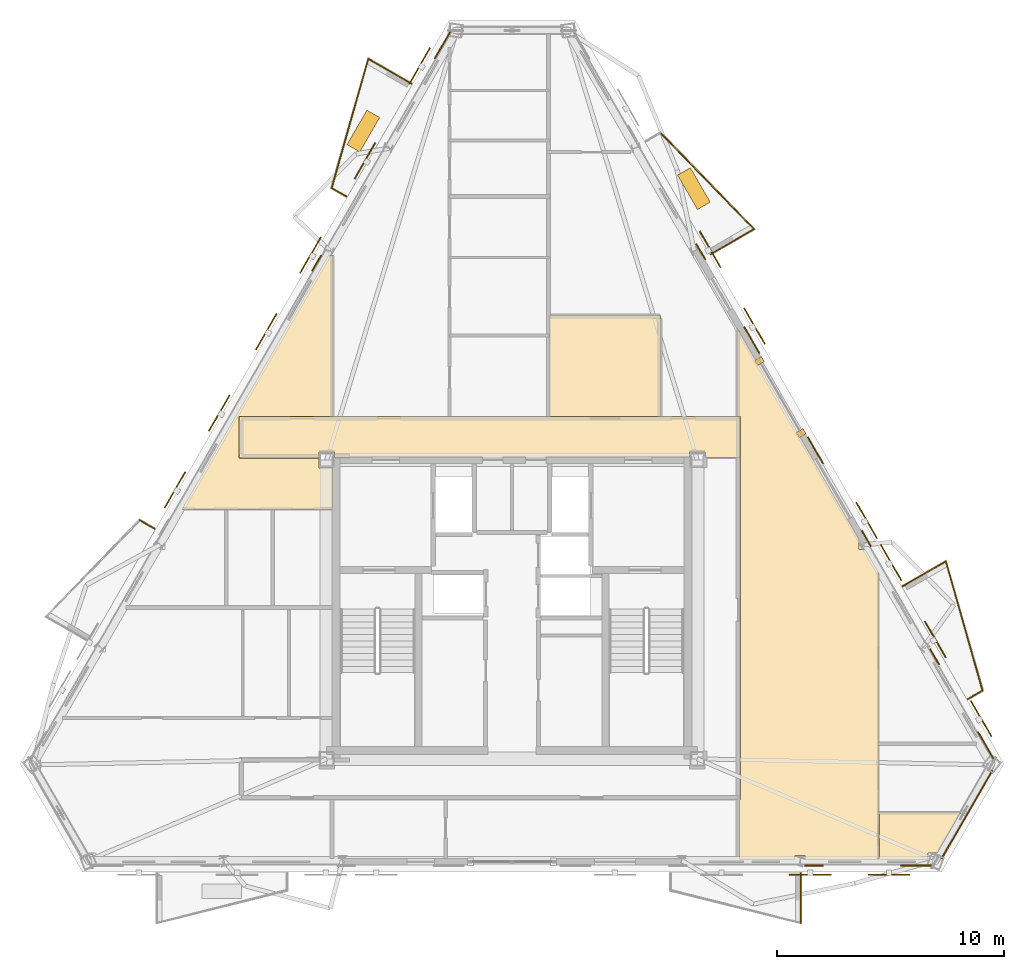
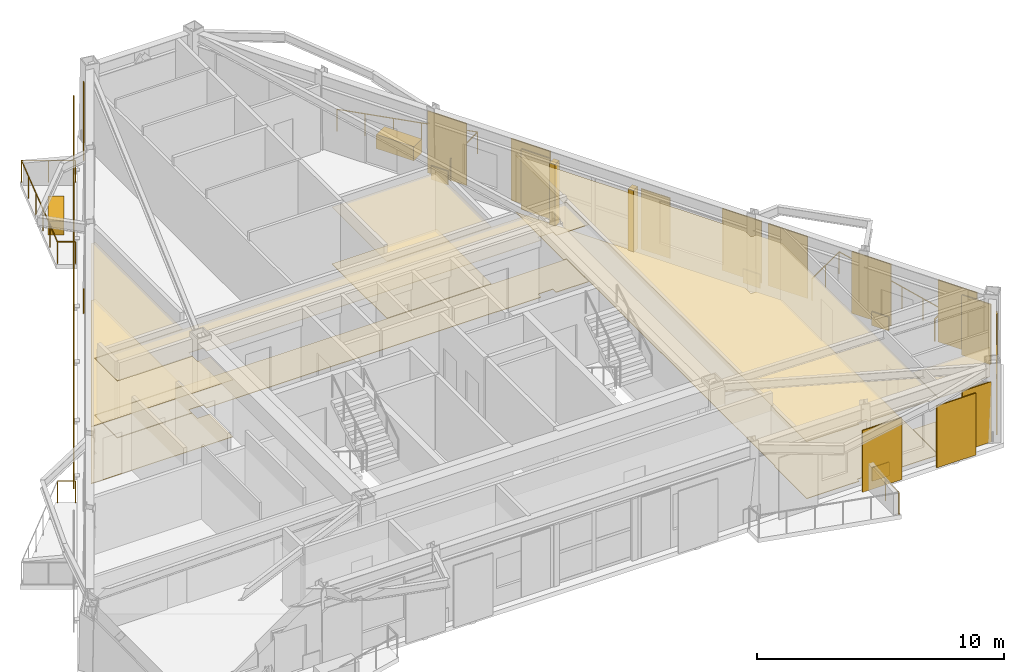
# One storey, part 14 of 15: 25 coverings, 14 shading devices, 10 railings.
"""IFC4 building model written with IfcOpenShell, lengths in metres."""

from ifc_helpers import new_model, si_unit, direction, frame, origin, origin_2d, place, context, subcontext, project, spatial, polyline, rectangle, circle, outline, extrude, material, layer, layer_set, type_object, element, save


model = new_model("IFC4")

# Units and contexts
model_context = context("Model", 3, precision=1e-05, world=origin(), true_north=direction((0.0, 1.0)))
body_context = subcontext(model_context, "Body", "Model", "MODEL_VIEW")
ifc_project = project(units=[si_unit("LENGTHUNIT", "METRE"), si_unit("AREAUNIT", "SQUARE_METRE"), si_unit("VOLUMEUNIT", "CUBIC_METRE"), si_unit("PLANEANGLEUNIT", "RADIAN"), si_unit("MASSUNIT", "GRAM", prefix="KILO")], contexts=[model_context])

# Site, building, storey
site_placement = place(None, origin())
site = spatial("IfcSite", under=ifc_project, at=site_placement, CompositionType="ELEMENT")
building_placement = place(site_placement, origin())
building = spatial("IfcBuilding", under=site, at=building_placement, Name="Oramaril Tower", CompositionType="ELEMENT")
storey_placement = place(building_placement, frame((0.0, 0.0, 265.5)))
storey = spatial("IfcBuildingStorey", under=building, at=storey_placement, Name="L70", CompositionType="ELEMENT", Elevation=265.5)

# Coverings
ifc_material_1 = material(Name="Mineral Fibre Acoustic Ceiling")
ifc_layer_1 = layer(ifc_material_1, 0.02001953125)
ifc_layer_set_1 = layer_set([ifc_layer_1], Name="CVT-CEIL")
covering_type_1 = type_object("IfcCoveringType", Name="CVT-CEIL", PredefinedType="CEILING", material=ifc_layer_set_1)
covering_1_placement = place(storey_placement, frame((0.0, 0.0, 2.81201171875)))
element("IfcCovering", 1, at=covering_1_placement, inside=storey, type_object=covering_type_1, Name="L70 Acoustic Suspended Ceiling 2", PredefinedType="CEILING", context=body_context, shape_type="SweptSolid", body=[
    extrude(outline(polyline([(47.530029296875, 24.239990234375), (45.9951171875, 24.239990234375), (45.9951171875, 24.4951171875), (45.304931640625, 24.4951171875), (45.304931640625, 24.25), (29.695068359375, 24.25), (29.695068359375, 24.4951171875), (29.0048828125, 24.4951171875), (29.0048828125, 24.239990234375), (25.52001953125, 24.239990234375), (25.52001953125, 26.050048828125), (47.530029296875, 26.050048828125), (47.530029296875, 24.239990234375)])), origin(), (0.0, 0.0, 1.0), 0.02001953125),
])
covering_2_placement = place(storey_placement, frame((0.0, 0.0, 2.81201171875)))
element("IfcCovering", 2, at=covering_2_placement, inside=storey, type_object=covering_type_1, Name="L70 Acoustic Suspended Ceiling 4", PredefinedType="CEILING", context=body_context, shape_type="SweptSolid", body=[
    extrude(outline(polyline([(44.0419921875, 30.511962890625), (44.0419921875, 26.070068359375), (39.157958984375, 26.070068359375), (39.157958984375, 30.511962890625), (44.0419921875, 30.511962890625)])), origin(), (0.0, 0.0, 1.0), 0.02001953125),
])
covering_3_placement = place(storey_placement, frame((0.0, 0.0, 2.81201171875)))
element("IfcCovering", 3, at=covering_3_placement, inside=storey, type_object=covering_type_1, Name="L70 Acoustic Suspended Ceiling 11", PredefinedType="CEILING", context=body_context, shape_type="SweptSolid", body=[
    extrude(outline(polyline([(29.0048828125, 23.804931640625), (29.60009765625, 23.804931640625), (29.60009765625, 21.9580078125), (22.96435546875, 21.9580078125), (29.41796875, 33.135986328125), (29.6220703125, 33.135986328125), (29.6220703125, 26.070068359375), (25.52001953125, 26.070068359375), (25.51806640625, 26.06982421875), (25.51611328125, 26.069580078125), (25.51416015625, 26.069091796875), (25.51220703125, 26.068603515625), (25.510498046875, 26.067626953125), (25.5087890625, 26.066650390625), (25.50732421875, 26.0654296875), (25.505859375, 26.064208984375), (25.50439453125, 26.062744140625), (25.50341796875, 26.06103515625), (25.50244140625, 26.059326171875), (25.50146484375, 26.0576171875), (25.5009765625, 26.055908203125), (25.50048828125, 26.053955078125), (25.5, 26.052001953125), (25.5, 26.050048828125), (25.5, 24.239990234375), (25.5, 24.238037109375), (25.50048828125, 24.236083984375), (25.5009765625, 24.234130859375), (25.50146484375, 24.232421875), (25.50244140625, 24.230712890625), (25.50341796875, 24.22900390625), (25.50439453125, 24.227294921875), (25.505859375, 24.225830078125), (25.50732421875, 24.224609375), (25.5087890625, 24.223388671875), (25.510498046875, 24.222412109375), (25.51220703125, 24.221435546875), (25.51416015625, 24.220947265625), (25.51611328125, 24.220458984375), (25.51806640625, 24.22021484375), (25.52001953125, 24.219970703125), (29.0048828125, 24.219970703125), (29.0048828125, 23.804931640625)])), origin(), (0.0, 0.0, 1.0), 0.02001953125),
])
covering_4_placement = place(storey_placement, frame((0.0, 0.0, 2.81201171875)))
element("IfcCovering", 4, at=covering_4_placement, inside=storey, type_object=covering_type_1, Name="L70 Acoustic Suspended Ceiling 15", PredefinedType="CEILING", context=body_context, shape_type="SweptSolid", body=[
    extrude(outline(polyline([(52.780517578125, 20.66748046875), (52.77099609375, 20.66748046875), (52.77099609375, 20.21630859375), (53.041015625, 20.21630859375), (53.6455078125, 19.169189453125), (53.6455078125, 6.582763671875), (50.38720703125, 6.582763671875), (50.38720703125, 6.7412109375), (49.9580078125, 6.7412109375), (49.9580078125, 6.582763671875), (47.511962890625, 6.582763671875), (47.511962890625, 9.199951171875), (47.530029296875, 9.199951171875), (47.531982421875, 9.2001953125), (47.533935546875, 9.200439453125), (47.535888671875, 9.200927734375), (47.53759765625, 9.201416015625), (47.539306640625, 9.202392578125), (47.541015625, 9.203369140625), (47.542724609375, 9.20458984375), (47.544189453125, 9.205810546875), (47.54541015625, 9.207275390625), (47.546630859375, 9.208984375), (47.547607421875, 9.210693359375), (47.548583984375, 9.21240234375), (47.549072265625, 9.214111328125), (47.549560546875, 9.216064453125), (47.5498046875, 9.218017578125), (47.550048828125, 9.219970703125), (47.550048828125, 11.030029296875), (47.5498046875, 11.031982421875), (47.549560546875, 11.033935546875), (47.549072265625, 11.035888671875), (47.548583984375, 11.03759765625), (47.547607421875, 11.039306640625), (47.54736328125, 11.0400390625), (47.547607421875, 11.04052734375), (47.548583984375, 11.042236328125), (47.549072265625, 11.044189453125), (47.549560546875, 11.046142578125), (47.5498046875, 11.048095703125), (47.550048828125, 11.050048828125), (47.550048828125, 24.219970703125), (47.5498046875, 24.221923828125), (47.549560546875, 24.223876953125), (47.549072265625, 24.225830078125), (47.548583984375, 24.227783203125), (47.547607421875, 24.2294921875), (47.54736328125, 24.22998046875), (47.547607421875, 24.230712890625), (47.548583984375, 24.232421875), (47.549072265625, 24.234130859375), (47.549560546875, 24.236083984375), (47.5498046875, 24.238037109375), (47.550048828125, 24.239990234375), (47.550048828125, 26.050048828125), (47.5498046875, 26.052001953125), (47.549560546875, 26.053955078125), (47.549072265625, 26.055908203125), (47.548583984375, 26.0576171875), (47.547607421875, 26.059326171875), (47.546630859375, 26.06103515625), (47.54541015625, 26.062744140625), (47.544189453125, 26.064208984375), (47.542724609375, 26.0654296875), (47.541015625, 26.066650390625), (47.539306640625, 26.067626953125), (47.53759765625, 26.068603515625), (47.535888671875, 26.069091796875), (47.533935546875, 26.069580078125), (47.531982421875, 26.06982421875), (47.530029296875, 26.070068359375), (47.407958984375, 26.070068359375), (47.407958984375, 29.973388671875), (52.780517578125, 20.66748046875)])), origin(), (0.0, 0.0, 1.0), 0.02001953125),
])
covering_5_placement = place(storey_placement, frame((0.0, 0.0, 2.81201171875)))
element("IfcCovering", 5, at=covering_5_placement, inside=storey, type_object=covering_type_1, Name="L70 Acoustic Suspended Ceiling 16", PredefinedType="CEILING", context=body_context, shape_type="SweptSolid", body=[
    extrude(outline(polyline([(56.21875, 6.854736328125), (55.80419921875, 6.854736328125), (55.80419921875, 6.582763671875), (53.66552734375, 6.582763671875), (53.66552734375, 8.65966796875), (57.260986328125, 8.65966796875), (56.21875, 6.854736328125)])), origin(), (0.0, 0.0, 1.0), 0.02001953125),
])
ifc_material_2 = material(Name="Warm Cream Limestone", Category="masonry")
ifc_layer_2 = layer(ifc_material_2, 0.050048828125)
ifc_layer_set_2 = layer_set([ifc_layer_2], Name="CVT-CLD")
covering_type_2 = type_object("IfcCoveringType", Name="CVT-CLD", PredefinedType="CLADDING", material=ifc_layer_set_2)
covering_6_placement = place(storey_placement, frame((55.274169921875, 6.306884765625, 0.0400390625), z_axis=(0.0, 0.0, 1.0), x_axis=(1.0, 0.0, 0.0)))
element("IfcCovering", 6, at=covering_6_placement, inside=storey, type_object=covering_type_2, Name="L70 Warm Cream Limestone Cladding", PredefinedType="CLADDING", context=body_context, shape_type="SweptSolid", body=[
    extrude(rectangle(XDim=1.35009765625, YDim=0.050048828125, at=origin_2d()), origin(), (0.0, 0.0, 1.0), 2.97802734375),
])
covering_7_placement = place(storey_placement, frame((50.788330078125, 6.306884765625, 0.0400390625), z_axis=(0.0, 0.0, 1.0), x_axis=(1.0, 0.0, 0.0)))
element("IfcCovering", 7, at=covering_7_placement, inside=storey, type_object=covering_type_2, Name="L70 Warm Cream Limestone Spandrel Cladding", PredefinedType="CLADDING", context=body_context, shape_type="SweptSolid", body=[
    extrude(rectangle(XDim=0.800048828125, YDim=0.050048828125, at=origin_2d()), origin(), (0.0, 0.0, 1.0), 0.679931640625),
])
covering_8_placement = place(storey_placement, frame((57.513427734375, 8.545166015625, 0.0400390625), z_axis=(0.0, 0.0, 1.0), x_axis=(0.500001511499, 0.866024531118, 0.0)))
element("IfcCovering", 8, at=covering_8_placement, inside=storey, type_object=covering_type_2, Name="L70 Warm Cream Limestone Cladding", PredefinedType="CLADDING", context=body_context, shape_type="SweptSolid", body=[
    extrude(rectangle(XDim=4.475341796875, YDim=0.050048828125, at=origin_2d()), origin(), (0.0, 0.0, 1.0), 2.97802734375),
])
for number, where, z_axis, x_axis, name in (
    (9, (50.21484375, 25.32763671875, 0.0), (0.0, 0.0, 1.0), (-0.5, 0.866025403784, 0.0), "L70 Curtain Wall Limestone Jamb Closure"),
    (10, (48.384765625, 28.497314453125, 0.0), (0.0, 0.0, 1.0), (-0.5, 0.866025403784, 0.0), "L70 Curtain Wall Limestone Jamb Closure"),
):
    element("IfcCovering", number, at=place(storey_placement, frame(where, z_axis=z_axis, x_axis=x_axis)), inside=storey, type_object=covering_type_2, Name=name, PredefinedType="CLADDING", context=body_context, shape_type="SweptSolid", body=[
        extrude(rectangle(XDim=0.260009765625, YDim=0.340087890625, at=origin_2d()), origin(), (0.0, 0.0, 1.0), 3.05810546875),
    ])
for number, where, z_axis, x_axis, name in (
    (11, (58.332275390625, 11.603759765625, 0.0400390625), (0.0, 0.0, 1.0), (-0.4999984885, 0.866026276448, 0.0), "L70 Warm Cream Limestone Cladding"),
    (12, (50.84521484375, 24.57177734375, 0.0400390625), (0.0, 0.0, 1.0), (-0.4999984885, 0.866026276448, 0.0), "L70 Warm Cream Limestone Cladding"),
):
    element("IfcCovering", number, at=place(storey_placement, frame(where, z_axis=z_axis, x_axis=x_axis)), inside=storey, type_object=covering_type_2, Name=name, PredefinedType="CLADDING", context=body_context, shape_type="SweptSolid", body=[
        extrude(rectangle(XDim=1.35009765625, YDim=0.050048828125, at=origin_2d()), origin(), (0.0, 0.0, 1.0), 2.97802734375),
    ])
for number, where, z_axis, x_axis, name in (
    (13, (56.08935546875, 15.488525390625, 0.0400390625), (0.0, 0.0, 1.0), (-0.4999984885, 0.866026276448, 0.0), "L70 Warm Cream Limestone Spandrel Cladding"),
    (14, (53.088134765625, 20.68701171875, 0.0400390625), (0.0, 0.0, 1.0), (-0.4999984885, 0.866026276448, 0.0), "L70 Warm Cream Limestone Spandrel Cladding"),
):
    element("IfcCovering", number, at=place(storey_placement, frame(where, z_axis=z_axis, x_axis=x_axis)), inside=storey, type_object=covering_type_2, Name=name, PredefinedType="CLADDING", context=body_context, shape_type="SweptSolid", body=[
        extrude(rectangle(XDim=0.800048828125, YDim=0.050048828125, at=origin_2d()), origin(), (0.0, 0.0, 1.0), 0.679931640625),
    ])
covering_9_placement = place(storey_placement, frame((48.04541015625, 29.42138671875, 0.0400390625), z_axis=(0.0, 0.0, 1.0), x_axis=(-0.4999984885, 0.866026276448, 0.0)))
element("IfcCovering", 15, at=covering_9_placement, inside=storey, type_object=covering_type_2, Name="L70 Warm Cream Limestone Cladding", PredefinedType="CLADDING", context=body_context, shape_type="SweptSolid", body=[
    extrude(rectangle(XDim=1.35009765625, YDim=0.050048828125, at=origin_2d()), origin(), (0.0, 0.0, 1.0), 2.97802734375),
])
covering_10_placement = place(storey_placement, frame((45.802490234375, 33.30615234375, 0.0400390625), z_axis=(0.0, 0.0, 1.0), x_axis=(-0.4999984885, 0.866026276448, 0.0)))
element("IfcCovering", 16, at=covering_10_placement, inside=storey, type_object=covering_type_2, Name="L70 Warm Cream Limestone Spandrel Cladding", PredefinedType="CLADDING", context=body_context, shape_type="SweptSolid", body=[
    extrude(rectangle(XDim=0.800048828125, YDim=0.050048828125, at=origin_2d()), origin(), (0.0, 0.0, 1.0), 0.679931640625),
])
covering_11_placement = place(storey_placement, frame((34.44189453125, 42.389404296875, 0.0400390625), z_axis=(0.0, 0.0, 1.0), x_axis=(-0.4999984885, -0.866026276448, 0.0)))
element("IfcCovering", 17, at=covering_11_placement, inside=storey, type_object=covering_type_2, Name="L70 Warm Cream Limestone Cladding", PredefinedType="CLADDING", context=body_context, shape_type="SweptSolid", body=[
    extrude(rectangle(XDim=1.35009765625, YDim=0.050048828125, at=origin_2d()), origin(), (0.0, 0.0, 1.0), 2.97802734375),
])
covering_12_placement = place(storey_placement, frame((28.906982421875, 32.802978515625, 0.0400390625), z_axis=(0.0, 0.0, 1.0), x_axis=(-0.4999984885, -0.866026276448, 0.0)))
element("IfcCovering", 18, at=covering_12_placement, inside=storey, type_object=covering_type_2, Name="L70 Warm Cream Limestone Spandrel Cladding", PredefinedType="CLADDING", context=body_context, shape_type="SweptSolid", body=[
    extrude(rectangle(XDim=0.800048828125, YDim=0.050048828125, at=origin_2d()), origin(), (0.0, 0.0, 1.0), 0.679931640625),
])
for number, where, z_axis, x_axis, name in (
    (19, (45.502685546875, 36.082275390625, 0.0), (0.0, 0.0, 1.0), (-0.4999984885, 0.866026276448, 0.0), "L70 Structural Tree Planter Box L70-BAL-NE2"),
    (20, (30.959716796875, 38.615478515625, 0.0), (0.0, 0.0, 1.0), (-0.4999984885, -0.866026276448, 0.0), "L70 Structural Tree Planter Box L70-BAL-NW1"),
):
    element("IfcCovering", number, at=place(storey_placement, frame(where, z_axis=z_axis, x_axis=x_axis)), inside=storey, type_object=covering_type_2, Name=name, PredefinedType="CLADDING", context=body_context, shape_type="SweptSolid", body=[
        extrude(rectangle(XDim=1.75, YDim=0.64990234375, at=origin_2d()), origin(), (0.0, 0.0, 1.0), 0.699951171875),
    ])
ifc_material_3 = material(Name="Honed Quartzite Stone Flooring", Category="masonry")
ifc_layer_3 = layer(ifc_material_3, 0.02490234375)
ifc_layer_set_3 = layer_set([ifc_layer_3], Name="CVT-FLR")
covering_type_3 = type_object("IfcCoveringType", Name="CVT-FLR", PredefinedType="FLOORING", material=ifc_layer_set_3)
covering_13_placement = place(storey_placement, origin())
element("IfcCovering", 21, at=covering_13_placement, inside=storey, type_object=covering_type_3, Name="L70 Honed Stone Floor Finish 2", PredefinedType="FLOORING", context=body_context, shape_type="SweptSolid", body=[
    extrude(outline(polyline([(47.530029296875, 24.239990234375), (45.9951171875, 24.239990234375), (45.9951171875, 24.4951171875), (45.304931640625, 24.4951171875), (45.304931640625, 24.25), (29.695068359375, 24.25), (29.695068359375, 24.4951171875), (29.0048828125, 24.4951171875), (29.0048828125, 24.239990234375), (25.52001953125, 24.239990234375), (25.52001953125, 26.050048828125), (47.530029296875, 26.050048828125), (47.530029296875, 24.239990234375)])), origin(), (0.0, 0.0, 1.0), 0.02490234375),
])
covering_14_placement = place(storey_placement, origin())
element("IfcCovering", 22, at=covering_14_placement, inside=storey, type_object=covering_type_3, Name="L70 Honed Stone Floor Finish 4", PredefinedType="FLOORING", context=body_context, shape_type="SweptSolid", body=[
    extrude(outline(polyline([(44.0419921875, 30.511962890625), (44.0419921875, 26.070068359375), (39.157958984375, 26.070068359375), (39.157958984375, 30.511962890625), (44.0419921875, 30.511962890625)])), origin(), (0.0, 0.0, 1.0), 0.02490234375),
])
covering_15_placement = place(storey_placement, origin())
element("IfcCovering", 23, at=covering_15_placement, inside=storey, type_object=covering_type_3, Name="L70 Honed Stone Floor Finish 11", PredefinedType="FLOORING", context=body_context, shape_type="SweptSolid", body=[
    extrude(outline(polyline([(29.0048828125, 23.804931640625), (29.60009765625, 23.804931640625), (29.60009765625, 21.9580078125), (22.96435546875, 21.9580078125), (29.41796875, 33.135986328125), (29.6220703125, 33.135986328125), (29.6220703125, 26.070068359375), (25.52001953125, 26.070068359375), (25.51806640625, 26.06982421875), (25.51611328125, 26.069580078125), (25.51416015625, 26.069091796875), (25.51220703125, 26.068603515625), (25.510498046875, 26.067626953125), (25.5087890625, 26.066650390625), (25.50732421875, 26.0654296875), (25.505859375, 26.064208984375), (25.50439453125, 26.062744140625), (25.50341796875, 26.06103515625), (25.50244140625, 26.059326171875), (25.50146484375, 26.0576171875), (25.5009765625, 26.055908203125), (25.50048828125, 26.053955078125), (25.5, 26.052001953125), (25.5, 26.050048828125), (25.5, 24.239990234375), (25.5, 24.238037109375), (25.50048828125, 24.236083984375), (25.5009765625, 24.234130859375), (25.50146484375, 24.232421875), (25.50244140625, 24.230712890625), (25.50341796875, 24.22900390625), (25.50439453125, 24.227294921875), (25.505859375, 24.225830078125), (25.50732421875, 24.224609375), (25.5087890625, 24.223388671875), (25.510498046875, 24.222412109375), (25.51220703125, 24.221435546875), (25.51416015625, 24.220947265625), (25.51611328125, 24.220458984375), (25.51806640625, 24.22021484375), (25.52001953125, 24.219970703125), (29.0048828125, 24.219970703125), (29.0048828125, 23.804931640625)])), origin(), (0.0, 0.0, 1.0), 0.02490234375),
])
covering_16_placement = place(storey_placement, origin())
element("IfcCovering", 24, at=covering_16_placement, inside=storey, type_object=covering_type_3, Name="L70 Honed Stone Floor Finish 15", PredefinedType="FLOORING", context=body_context, shape_type="SweptSolid", body=[
    extrude(outline(polyline([(52.780517578125, 20.66748046875), (52.77099609375, 20.66748046875), (52.77099609375, 20.21630859375), (53.041015625, 20.21630859375), (53.6455078125, 19.169189453125), (53.6455078125, 6.582763671875), (50.38720703125, 6.582763671875), (50.38720703125, 6.7412109375), (49.9580078125, 6.7412109375), (49.9580078125, 6.582763671875), (47.511962890625, 6.582763671875), (47.511962890625, 9.199951171875), (47.530029296875, 9.199951171875), (47.531982421875, 9.2001953125), (47.533935546875, 9.200439453125), (47.535888671875, 9.200927734375), (47.53759765625, 9.201416015625), (47.539306640625, 9.202392578125), (47.541015625, 9.203369140625), (47.542724609375, 9.20458984375), (47.544189453125, 9.205810546875), (47.54541015625, 9.207275390625), (47.546630859375, 9.208984375), (47.547607421875, 9.210693359375), (47.548583984375, 9.21240234375), (47.549072265625, 9.214111328125), (47.549560546875, 9.216064453125), (47.5498046875, 9.218017578125), (47.550048828125, 9.219970703125), (47.550048828125, 11.030029296875), (47.5498046875, 11.031982421875), (47.549560546875, 11.033935546875), (47.549072265625, 11.035888671875), (47.548583984375, 11.03759765625), (47.547607421875, 11.039306640625), (47.54736328125, 11.0400390625), (47.547607421875, 11.04052734375), (47.548583984375, 11.042236328125), (47.549072265625, 11.044189453125), (47.549560546875, 11.046142578125), (47.5498046875, 11.048095703125), (47.550048828125, 11.050048828125), (47.550048828125, 24.219970703125), (47.5498046875, 24.221923828125), (47.549560546875, 24.223876953125), (47.549072265625, 24.225830078125), (47.548583984375, 24.227783203125), (47.547607421875, 24.2294921875), (47.54736328125, 24.22998046875), (47.547607421875, 24.230712890625), (47.548583984375, 24.232421875), (47.549072265625, 24.234130859375), (47.549560546875, 24.236083984375), (47.5498046875, 24.238037109375), (47.550048828125, 24.239990234375), (47.550048828125, 26.050048828125), (47.5498046875, 26.052001953125), (47.549560546875, 26.053955078125), (47.549072265625, 26.055908203125), (47.548583984375, 26.0576171875), (47.547607421875, 26.059326171875), (47.546630859375, 26.06103515625), (47.54541015625, 26.062744140625), (47.544189453125, 26.064208984375), (47.542724609375, 26.0654296875), (47.541015625, 26.066650390625), (47.539306640625, 26.067626953125), (47.53759765625, 26.068603515625), (47.535888671875, 26.069091796875), (47.533935546875, 26.069580078125), (47.531982421875, 26.06982421875), (47.530029296875, 26.070068359375), (47.407958984375, 26.070068359375), (47.407958984375, 29.973388671875), (52.780517578125, 20.66748046875)])), origin(), (0.0, 0.0, 1.0), 0.02490234375),
])
covering_17_placement = place(storey_placement, origin())
element("IfcCovering", 25, at=covering_17_placement, inside=storey, type_object=covering_type_3, Name="L70 Honed Stone Floor Finish 16", PredefinedType="FLOORING", context=body_context, shape_type="SweptSolid", body=[
    extrude(outline(polyline([(56.21875, 6.854736328125), (55.80419921875, 6.854736328125), (55.80419921875, 6.582763671875), (53.66552734375, 6.582763671875), (53.66552734375, 8.65966796875), (57.260986328125, 8.65966796875), (56.21875, 6.854736328125)])), origin(), (0.0, 0.0, 1.0), 0.02490234375),
])

# Railings
ifc_material_4 = material(Name="Stainless Steel 316L", Category="steel")
railing_type = type_object("IfcRailingType", Name="RLT-GRD", PredefinedType="GUARDRAIL", material=ifc_material_4)
railing_1_placement = place(storey_placement, frame((50.20458984375, 5.966796875, 0.0)))
element("IfcRailing", 26, at=railing_1_placement, inside=storey, type_object=railing_type, Name="L70 Balcony Guardrail L70-BAL-S2.1", PredefinedType="GUARDRAIL", context=body_context, shape_type="SweptSolid", body=[
    extrude(circle(Radius=0.02392578125, at=origin_2d()), frame((0.0, 0.0, 1.076171875), z_axis=(0.0, -1.0, 0.0), x_axis=(1.0, 0.0, 0.0)), (0.0, 0.0, 1.0), 2.19189453125),
    extrude(circle(Radius=0.02099609375, at=origin_2d()), origin(), (0.0, 0.0, 1.0), 1.052001953125),
    extrude(circle(Radius=0.02099609375, at=origin_2d()), frame((0.0, -1.095947265625, 0.0)), (0.0, 0.0, 1.0), 1.052001953125),
    extrude(circle(Radius=0.02099609375, at=origin_2d()), frame((0.0, -2.19189453125, 0.0)), (0.0, 0.0, 1.0), 1.052001953125),
])
railing_2_placement = place(storey_placement, frame((54.689697265625, 18.593017578125, 0.0)))
element("IfcRailing", 27, at=railing_2_placement, inside=storey, type_object=railing_type, Name="L70 Balcony Guardrail L70-BAL-NE1.1", PredefinedType="GUARDRAIL", context=body_context, shape_type="SweptSolid", body=[
    extrude(circle(Radius=0.02392578125, at=origin_2d()), frame((0.0, 0.0, 1.076171875), z_axis=(0.865972267571, 0.50009202333, 0.0), x_axis=(-0.50009202333, 0.865972267571, 0.0)), (0.0, 0.0, 1.0), 2.19189453125),
    extrude(circle(Radius=0.02099609375, at=origin_2d()), origin(), (0.0, 0.0, 1.0), 1.052001953125),
    extrude(circle(Radius=0.02099609375, at=origin_2d()), frame((0.94921875, 0.548095703125, 0.0)), (0.0, 0.0, 1.0), 1.052001953125),
    extrude(circle(Radius=0.02099609375, at=origin_2d()), frame((1.898193359375, 1.09619140625, 0.0)), (0.0, 0.0, 1.0), 1.052001953125),
])
railing_3_placement = place(storey_placement, frame((56.587890625, 19.689208984375, 0.0)))
element("IfcRailing", 28, at=railing_3_placement, inside=storey, type_object=railing_type, Name="L70 Balcony Guardrail L70-BAL-NE1.2", PredefinedType="GUARDRAIL", context=body_context, shape_type="SweptSolid", body=[
    extrude(circle(Radius=0.02392578125, at=origin_2d()), frame((0.0, 0.0, 1.076171875), z_axis=(0.27224886544, -0.962226873074, 0.0), x_axis=(0.962226873074, 0.27224886544, 0.0)), (0.0, 0.0, 1.0), 5.910400390625),
    extrude(circle(Radius=0.02099609375, at=origin_2d()), origin(), (0.0, 0.0, 1.0), 1.052001953125),
    extrude(circle(Radius=0.02099609375, at=origin_2d()), frame((0.32177734375, -1.137451171875, 0.0)), (0.0, 0.0, 1.0), 1.052001953125),
    extrude(circle(Radius=0.02099609375, at=origin_2d()), frame((0.6435546875, -2.27490234375, 0.0)), (0.0, 0.0, 1.0), 1.052001953125),
    extrude(circle(Radius=0.02099609375, at=origin_2d()), frame((0.965576171875, -3.412353515625, 0.0)), (0.0, 0.0, 1.0), 1.052001953125),
    extrude(circle(Radius=0.02099609375, at=origin_2d()), frame((1.287353515625, -4.5498046875, 0.0)), (0.0, 0.0, 1.0), 1.052001953125),
    extrude(circle(Radius=0.02099609375, at=origin_2d()), frame((1.609130859375, -5.687255859375, 0.0)), (0.0, 0.0, 1.0), 1.052001953125),
])
railing_4_placement = place(storey_placement, frame((58.197021484375, 14.001953125, 0.0)))
element("IfcRailing", 29, at=railing_4_placement, inside=storey, type_object=railing_type, Name="L70 Balcony Guardrail L70-BAL-NE1.3", PredefinedType="GUARDRAIL", context=body_context, shape_type="SweptSolid", body=[
    extrude(circle(Radius=0.02392578125, at=origin_2d()), frame((0.0, 0.0, 1.076171875), z_axis=(-0.865884080729, -0.500244698863, 0.0), x_axis=(0.500244698863, -0.865884080729, 0.0)), (0.0, 0.0, 1.0), 0.741943359375),
    extrude(circle(Radius=0.02099609375, at=origin_2d()), origin(), (0.0, 0.0, 1.0), 1.052001953125),
    extrude(circle(Radius=0.02099609375, at=origin_2d()), frame((-0.642333984375, -0.37109375, 0.0)), (0.0, 0.0, 1.0), 1.052001953125),
])
railing_5_placement = place(storey_placement, frame((44.02978515625, 38.540283203125, 0.0)))
element("IfcRailing", 30, at=railing_5_placement, inside=storey, type_object=railing_type, Name="L70 Balcony Guardrail L70-BAL-NE2.2", PredefinedType="GUARDRAIL", context=body_context, shape_type="SweptSolid", body=[
    extrude(circle(Radius=0.02392578125, at=origin_2d()), frame((0.0, 0.0, 1.076171875), z_axis=(0.697186915353, -0.716889395277, 0.0), x_axis=(0.716889395277, 0.697186915353, 0.0)), (0.0, 0.0, 1.0), 5.91064453125),
    extrude(circle(Radius=0.02099609375, at=origin_2d()), origin(), (0.0, 0.0, 1.0), 1.052001953125),
    extrude(circle(Radius=0.02099609375, at=origin_2d()), frame((0.82421875, -0.847412109375, 0.0)), (0.0, 0.0, 1.0), 1.052001953125),
    extrude(circle(Radius=0.02099609375, at=origin_2d()), frame((1.6484375, -1.69482421875, 0.0)), (0.0, 0.0, 1.0), 1.052001953125),
    extrude(circle(Radius=0.02099609375, at=origin_2d()), frame((2.472412109375, -2.54248046875, 0.0)), (0.0, 0.0, 1.0), 1.052001953125),
    extrude(circle(Radius=0.02099609375, at=origin_2d()), frame((3.296630859375, -3.389892578125, 0.0)), (0.0, 0.0, 1.0), 1.052001953125),
    extrude(circle(Radius=0.02099609375, at=origin_2d()), frame((4.120849609375, -4.2373046875, 0.0)), (0.0, 0.0, 1.0), 1.052001953125),
])
railing_6_placement = place(storey_placement, frame((48.150634765625, 34.302978515625, 0.0)))
element("IfcRailing", 31, at=railing_6_placement, inside=storey, type_object=railing_type, Name="L70 Balcony Guardrail L70-BAL-NE2.3", PredefinedType="GUARDRAIL", context=body_context, shape_type="SweptSolid", body=[
    extrude(circle(Radius=0.02392578125, at=origin_2d()), frame((0.0, 0.0, 1.076171875), z_axis=(-0.865972267571, -0.50009202333, 0.0), x_axis=(0.50009202333, -0.865972267571, 0.0)), (0.0, 0.0, 1.0), 2.19189453125),
    extrude(circle(Radius=0.02099609375, at=origin_2d()), origin(), (0.0, 0.0, 1.0), 1.052001953125),
    extrude(circle(Radius=0.02099609375, at=origin_2d()), frame((-0.94921875, -0.548095703125, 0.0)), (0.0, 0.0, 1.0), 1.052001953125),
    extrude(circle(Radius=0.02099609375, at=origin_2d()), frame((-1.898193359375, -1.09619140625, 0.0)), (0.0, 0.0, 1.0), 1.052001953125),
])
railing_7_placement = place(storey_placement, frame((30.210205078125, 35.739990234375, 0.0)))
element("IfcRailing", 32, at=railing_7_placement, inside=storey, type_object=railing_type, Name="L70 Balcony Guardrail L70-BAL-NW1.1", PredefinedType="GUARDRAIL", context=body_context, shape_type="SweptSolid", body=[
    extrude(circle(Radius=0.02392578125, at=origin_2d()), frame((0.0, 0.0, 1.076171875), z_axis=(-0.865966403178, 0.500102178127, 0.0), x_axis=(-0.500102178127, -0.865966403178, 0.0)), (0.0, 0.0, 1.0), 0.741943359375),
    extrude(circle(Radius=0.02099609375, at=origin_2d()), origin(), (0.0, 0.0, 1.0), 1.052001953125),
    extrude(circle(Radius=0.02099609375, at=origin_2d()), frame((-0.642578125, 0.37109375, 0.0)), (0.0, 0.0, 1.0), 1.052001953125),
])
railing_8_placement = place(storey_placement, frame((29.567626953125, 36.111083984375, 0.0)))
element("IfcRailing", 33, at=railing_8_placement, inside=storey, type_object=railing_type, Name="L70 Balcony Guardrail L70-BAL-NW1.2", PredefinedType="GUARDRAIL", context=body_context, shape_type="SweptSolid", body=[
    extrude(circle(Radius=0.02392578125, at=origin_2d()), frame((0.0, 0.0, 1.076171875), z_axis=(0.27224886544, 0.962226873074, 0.0), x_axis=(-0.962226873074, 0.27224886544, 0.0)), (0.0, 0.0, 1.0), 5.910400390625),
    extrude(circle(Radius=0.02099609375, at=origin_2d()), origin(), (0.0, 0.0, 1.0), 1.052001953125),
    extrude(circle(Radius=0.02099609375, at=origin_2d()), frame((0.32177734375, 1.137451171875, 0.0)), (0.0, 0.0, 1.0), 1.052001953125),
    extrude(circle(Radius=0.02099609375, at=origin_2d()), frame((0.6435546875, 2.27490234375, 0.0)), (0.0, 0.0, 1.0), 1.052001953125),
    extrude(circle(Radius=0.02099609375, at=origin_2d()), frame((0.965576171875, 3.412353515625, 0.0)), (0.0, 0.0, 1.0), 1.052001953125),
    extrude(circle(Radius=0.02099609375, at=origin_2d()), frame((1.287353515625, 4.5498046875, 0.0)), (0.0, 0.0, 1.0), 1.052001953125),
    extrude(circle(Radius=0.02099609375, at=origin_2d()), frame((1.609130859375, 5.687255859375, 0.0)), (0.0, 0.0, 1.0), 1.052001953125),
])
railing_9_placement = place(storey_placement, frame((31.1767578125, 41.79833984375, 0.0)))
element("IfcRailing", 34, at=railing_9_placement, inside=storey, type_object=railing_type, Name="L70 Balcony Guardrail L70-BAL-NW1.3", PredefinedType="GUARDRAIL", context=body_context, shape_type="SweptSolid", body=[
    extrude(circle(Radius=0.02392578125, at=origin_2d()), frame((0.0, 0.0, 1.076171875), z_axis=(0.866048343933, -0.499960264392, 0.0), x_axis=(0.499960264392, 0.866048343933, 0.0)), (0.0, 0.0, 1.0), 2.192138671875),
    extrude(circle(Radius=0.02099609375, at=origin_2d()), origin(), (0.0, 0.0, 1.0), 1.052001953125),
    extrude(circle(Radius=0.02099609375, at=origin_2d()), frame((0.94921875, -0.5478515625, 0.0)), (0.0, 0.0, 1.0), 1.052001953125),
    extrude(circle(Radius=0.02099609375, at=origin_2d()), frame((1.8984375, -1.095947265625, 0.0)), (0.0, 0.0, 1.0), 1.052001953125),
])
railing_10_placement = place(storey_placement, frame((21.13037109375, 21.497314453125, 0.0)))
element("IfcRailing", 35, at=railing_10_placement, inside=storey, type_object=railing_type, Name="L70 Balcony Guardrail L70-BAL-NW2.3", PredefinedType="GUARDRAIL", context=body_context, shape_type="SweptSolid", body=[
    extrude(circle(Radius=0.02392578125, at=origin_2d()), frame((0.0, 0.0, 1.076171875), z_axis=(0.865966403178, -0.500102178127, 0.0), x_axis=(0.500102178127, 0.865966403178, 0.0)), (0.0, 0.0, 1.0), 0.741943359375),
    extrude(circle(Radius=0.02099609375, at=origin_2d()), origin(), (0.0, 0.0, 1.0), 1.052001953125),
    extrude(circle(Radius=0.02099609375, at=origin_2d()), frame((0.642578125, -0.37109375, 0.0)), (0.0, 0.0, 1.0), 1.052001953125),
])

# Shading devices
for number, where, z_axis, x_axis, name in (
    (36, (50.61669921875, 5.894775390625, -0.02001953125), (0.0, 0.0, 1.0), (1.0, 0.0, 0.0), "L70 Perforated Ceramic Solar Screen"),
    (37, (54.083984375, 5.894775390625, -0.02001953125), (0.0, 0.0, 1.0), (1.0, 0.0, 0.0), "L70 Perforated Ceramic Solar Screen"),
    (38, (56.123291015625, 16.253662109375, -0.02001953125), (0.0, 0.0, 1.0), (-0.499996976998, 0.866027149108, 0.0), "L70 Perforated Ceramic Solar Screen"),
    (39, (54.17333984375, 19.63134765625, -0.02001953125), (0.0, 0.0, 1.0), (-0.499996976998, 0.866027149108, 0.0), "L70 Perforated Ceramic Solar Screen"),
    (40, (53.099853515625, 21.49072265625, -0.02001953125), (0.0, 0.0, 1.0), (-0.499996976998, 0.866027149108, 0.0), "L70 Perforated Ceramic Solar Screen"),
    (41, (58.13330078125, 12.772705078125, -0.02001953125), (0.0, 0.0, 1.0), (-0.499996976998, 0.866027149108, 0.0), "L70 Perforated Ceramic Solar Screen"),
    (42, (48.166015625, 30.036376953125, -0.02001953125), (0.0, 0.0, 1.0), (-0.5, 0.866025403784, 0.0), "L70 Perforated Ceramic Solar Screen"),
    (43, (46.216064453125, 33.413818359375, -0.02001953125), (0.0, 0.0, 1.0), (-0.5, 0.866025403784, 0.0), "L70 Perforated Ceramic Solar Screen"),
    (44, (28.639404296875, 33.16357421875, -0.02001953125), (0.0, 0.0, 1.0), (-0.4999984885, -0.866026276448, 0.0), "L70 Perforated Ceramic Solar Screen"),
    (45, (26.689453125, 29.7861328125, -0.02001953125), (0.0, 0.0, 1.0), (-0.4999984885, -0.866026276448, 0.0), "L70 Perforated Ceramic Solar Screen"),
    (46, (24.62548828125, 26.211181640625, -0.02001953125), (0.0, 0.0, 1.0), (-0.4999984885, -0.866026276448, 0.0), "L70 Perforated Ceramic Solar Screen"),
    (47, (22.675537109375, 22.833740234375, -0.02001953125), (0.0, 0.0, 1.0), (-0.4999984885, -0.866026276448, 0.0), "L70 Perforated Ceramic Solar Screen"),
    (48, (33.445556640625, 41.48779296875, -0.02001953125), (0.0, 0.0, 1.0), (-0.4999984885, -0.866026276448, 0.0), "L70 Perforated Ceramic Solar Screen"),
    (49, (31.033203125, 37.3095703125, -0.02001953125), (0.0, 0.0, 1.0), (-0.4999984885, -0.866026276448, 0.0), "L70 Perforated Ceramic Solar Screen"),
):
    element("IfcShadingDevice", number, at=place(storey_placement, frame(where, z_axis=z_axis, x_axis=x_axis)), inside=storey, Name=name, ObjectType="SCREEN", PredefinedType="USERDEFINED", context=body_context, shape_type="SweptSolid", body=[
        extrude(rectangle(XDim=1.8330078125, YDim=0.050048828125, at=origin_2d()), origin(), (0.0, 0.0, 1.0), 3.05810546875),
    ])

save(model, "model.ifc")
